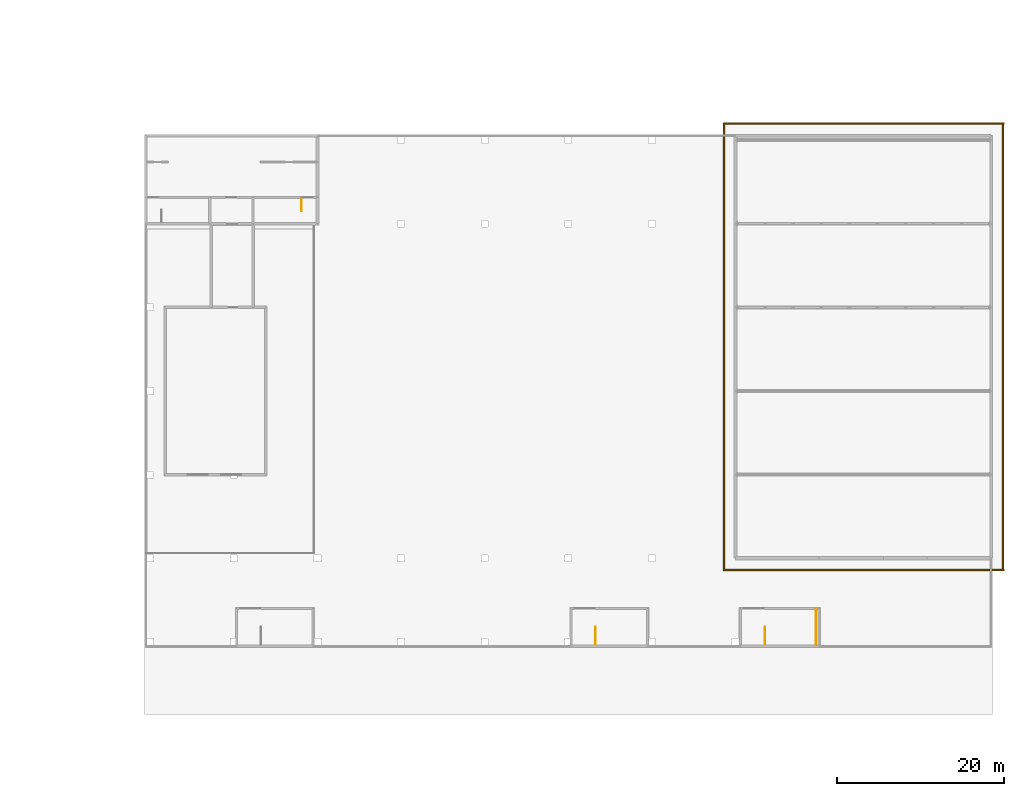
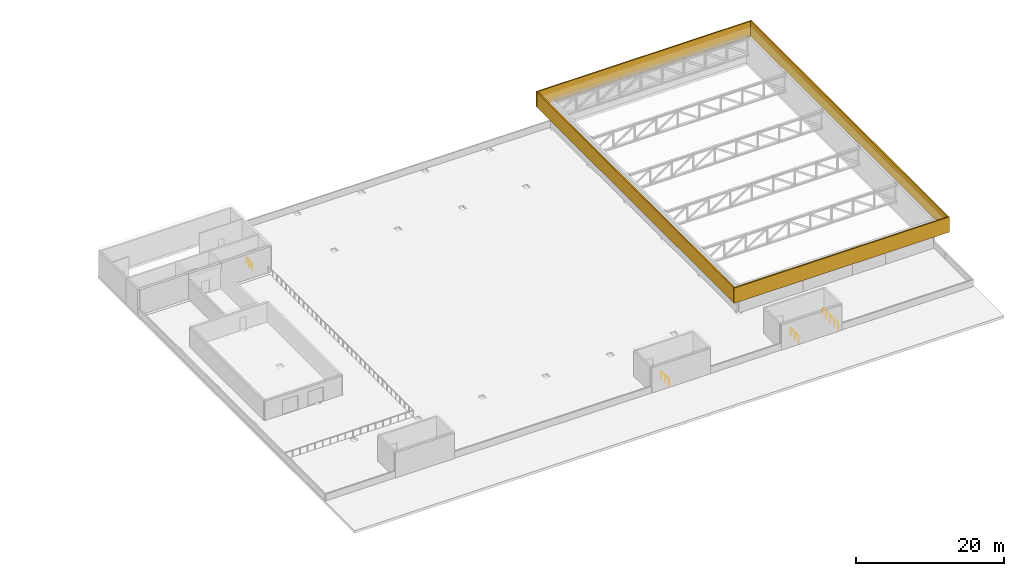
# One storey, part 31 of 31: 4 coverings, 4 railings.
"""IFC4 building model written with IfcOpenShell, lengths in metres."""

from ifc_helpers import new_model, si_unit, direction, frame, origin, origin_2d, place, context, subcontext, project, spatial, rectangle, circle, extrude, material, layer, layer_set, type_object, element, save


model = new_model("IFC4")

# Units and contexts
model_context = context("Model", 3, precision=1e-05, world=origin(), true_north=direction((0.0, 1.0)))
body_context = subcontext(model_context, "Body", "Model", "MODEL_VIEW")
ifc_project = project(units=[si_unit("LENGTHUNIT", "METRE"), si_unit("AREAUNIT", "SQUARE_METRE"), si_unit("VOLUMEUNIT", "CUBIC_METRE"), si_unit("PLANEANGLEUNIT", "RADIAN"), si_unit("MASSUNIT", "GRAM", prefix="KILO")], contexts=[model_context])

# Site, building, storey
site_placement = place(None, origin())
site = spatial("IfcSite", under=ifc_project, at=site_placement, CompositionType="ELEMENT")
building_placement = place(site_placement, origin())
building = spatial("IfcBuilding", under=site, at=building_placement, Name="Jabali Bay Hotel Tower and Convention Centre", CompositionType="ELEMENT")
storey_placement = place(building_placement, frame((0.0, 0.0, 25.39990234375)))
storey = spatial("IfcBuildingStorey", under=building, at=storey_placement, Name="L04", CompositionType="ELEMENT", Elevation=25.39990234375)

# Coverings
ifc_material_1 = material(Name="Precast concrete C40/50", Category="concrete")
ifc_layer = layer(ifc_material_1, 0.199951171875)
ifc_layer_set = layer_set([ifc_layer], Name="Precast concrete C40/50")
covering_type = type_object("IfcCoveringType", Name="CC Roof lid rim panel", PredefinedType="CLADDING", material=ifc_layer_set)
for number, where, z_axis, x_axis, name in (
    (1, (236.0, 58.60009765625, 2.89013671875), (0.0, 0.0, 1.0), (1.0, 0.0, 0.0), "CC roof lid rim south"),
    (2, (236.0, 112.0, 2.89013671875), (0.0, 0.0, 1.0), (1.0, 0.0, 0.0), "CC roof lid rim north"),
):
    element("IfcCovering", number, at=place(storey_placement, frame(where, z_axis=z_axis, x_axis=x_axis)), inside=storey, type_object=covering_type, Name=name, PredefinedType="CLADDING", context=body_context, shape_type="SweptSolid", body=[
        extrude(rectangle(XDim=33.60009765625, YDim=0.199951171875, at=origin_2d()), origin(), (0.0, 0.0, 1.0), 2.510009765625),
    ])
for number, where, z_axis, x_axis, name in (
    (3, (219.300048828125, 85.300048828125, 2.89013671875), (0.0, 0.0, 1.0), (1.0, 0.0, 0.0), "CC roof lid rim west"),
    (4, (252.699951171875, 85.300048828125, 2.89013671875), (0.0, 0.0, 1.0), (1.0, 0.0, 0.0), "CC roof lid rim east"),
):
    element("IfcCovering", number, at=place(storey_placement, frame(where, z_axis=z_axis, x_axis=x_axis)), inside=storey, type_object=covering_type, Name=name, PredefinedType="CLADDING", context=body_context, shape_type="SweptSolid", body=[
        extrude(rectangle(XDim=0.199951171875, YDim=53.199951171875, at=origin_2d()), origin(), (0.0, 0.0, 1.0), 2.510009765625),
    ])

# Railings
ifc_material_2 = material(Name="Stainless steel 304", Category="steel")
railing_type = type_object("IfcRailingType", Name="CC Stair Guard 1100", PredefinedType="GUARDRAIL", material=ifc_material_2)
railing_1_placement = place(storey_placement, frame((168.77490234375, 103.02490234375, 0.0)))
element("IfcRailing", 5, at=railing_1_placement, inside=storey, type_object=railing_type, Name="L04 CC-STWB top well guard 1", PredefinedType="GUARDRAIL", context=body_context, shape_type="SweptSolid", body=[
    extrude(circle(Radius=0.02392578125, at=origin_2d()), frame((0.0, 0.0, 1.076171875), z_axis=(0.0, -1.0, 0.0), x_axis=(1.0, 0.0, 0.0)), (0.0, 0.0, 1.0), 1.5),
    extrude(circle(Radius=0.02099609375, at=origin_2d()), origin(), (0.0, 0.0, 1.0), 1.052001953125),
    extrude(circle(Radius=0.02099609375, at=origin_2d()), frame((0.0, -0.75, 0.0)), (0.0, 0.0, 1.0), 1.052001953125),
    extrude(circle(Radius=0.02099609375, at=origin_2d()), frame((0.0, -1.5, 0.0)), (0.0, 0.0, 1.0), 1.052001953125),
])
for number, where, name in (
    (6, (203.949951171875, 49.699951171875, 0.0), "L04 CC-STS2 top well guard 1"),
    (7, (224.199951171875, 49.699951171875, 0.0), "L04 CC-STS3 top well guard 1"),
):
    element("IfcRailing", number, at=place(storey_placement, frame(where)), inside=storey, type_object=railing_type, Name=name, PredefinedType="GUARDRAIL", context=body_context, shape_type="SweptSolid", body=[
        extrude(circle(Radius=0.02392578125, at=origin_2d()), frame((0.0, 0.0, 1.076171875), z_axis=(0.0, 1.0, 0.0), x_axis=(-1.0, 0.0, 0.0)), (0.0, 0.0, 1.0), 2.10009765625),
        extrude(circle(Radius=0.02099609375, at=origin_2d()), origin(), (0.0, 0.0, 1.0), 1.052001953125),
        extrude(circle(Radius=0.02099609375, at=origin_2d()), frame((0.0, 1.050048828125, 0.0)), (0.0, 0.0, 1.0), 1.052001953125),
        extrude(circle(Radius=0.02099609375, at=origin_2d()), frame((0.0, 2.10009765625, 0.0)), (0.0, 0.0, 1.0), 1.052001953125),
    ])
railing_2_placement = place(storey_placement, frame((230.300048828125, 49.60009765625, 0.0)))
element("IfcRailing", 8, at=railing_2_placement, inside=storey, type_object=railing_type, Name="L04 CC-STS3 top well guard 2", PredefinedType="GUARDRAIL", context=body_context, shape_type="SweptSolid", body=[
    extrude(circle(Radius=0.02392578125, at=origin_2d()), frame((0.0, 0.0, 1.076171875), z_axis=(0.0, 1.0, 0.0), x_axis=(-1.0, 0.0, 0.0)), (0.0, 0.0, 1.0), 4.2998046875),
    extrude(circle(Radius=0.02099609375, at=origin_2d()), origin(), (0.0, 0.0, 1.0), 1.052001953125),
    extrude(circle(Radius=0.02099609375, at=origin_2d()), frame((0.0, 1.074951171875, 0.0)), (0.0, 0.0, 1.0), 1.052001953125),
    extrude(circle(Radius=0.02099609375, at=origin_2d()), frame((0.0, 2.14990234375, 0.0)), (0.0, 0.0, 1.0), 1.052001953125),
    extrude(circle(Radius=0.02099609375, at=origin_2d()), frame((0.0, 3.224853515625, 0.0)), (0.0, 0.0, 1.0), 1.052001953125),
    extrude(circle(Radius=0.02099609375, at=origin_2d()), frame((0.0, 4.2998046875, 0.0)), (0.0, 0.0, 1.0), 1.052001953125),
])

save(model, "model.ifc")
